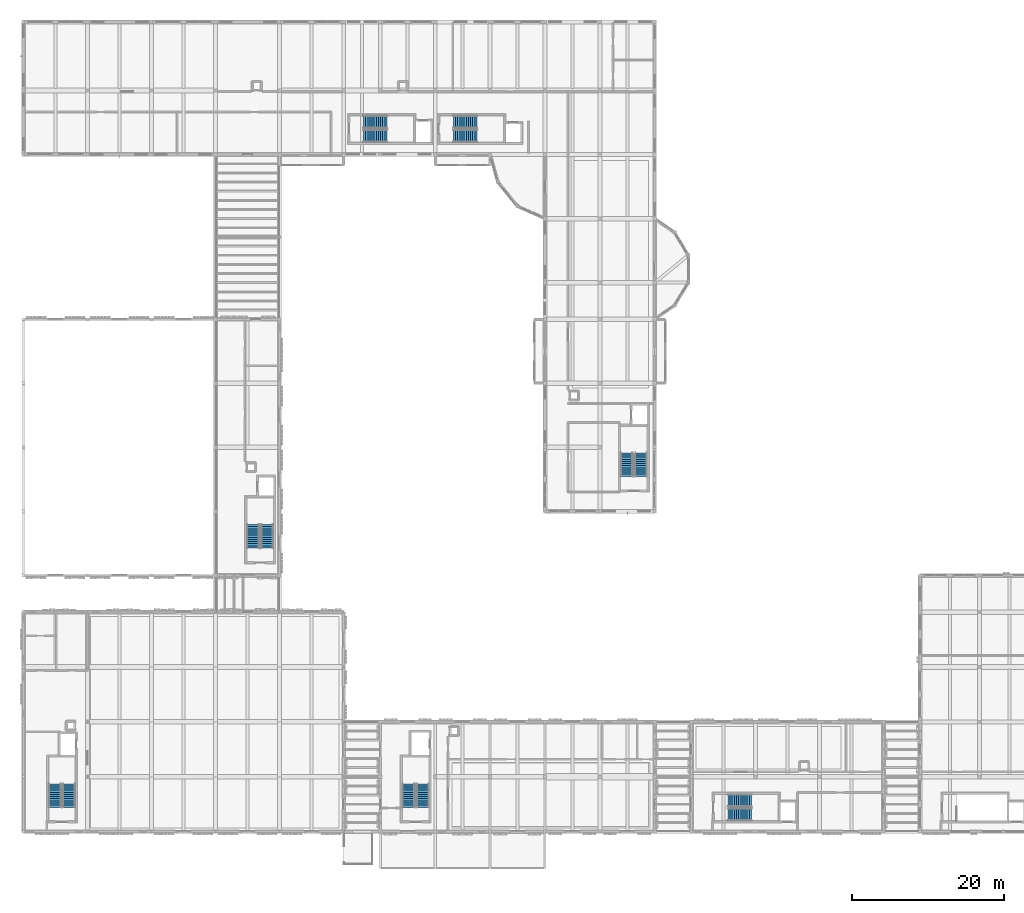
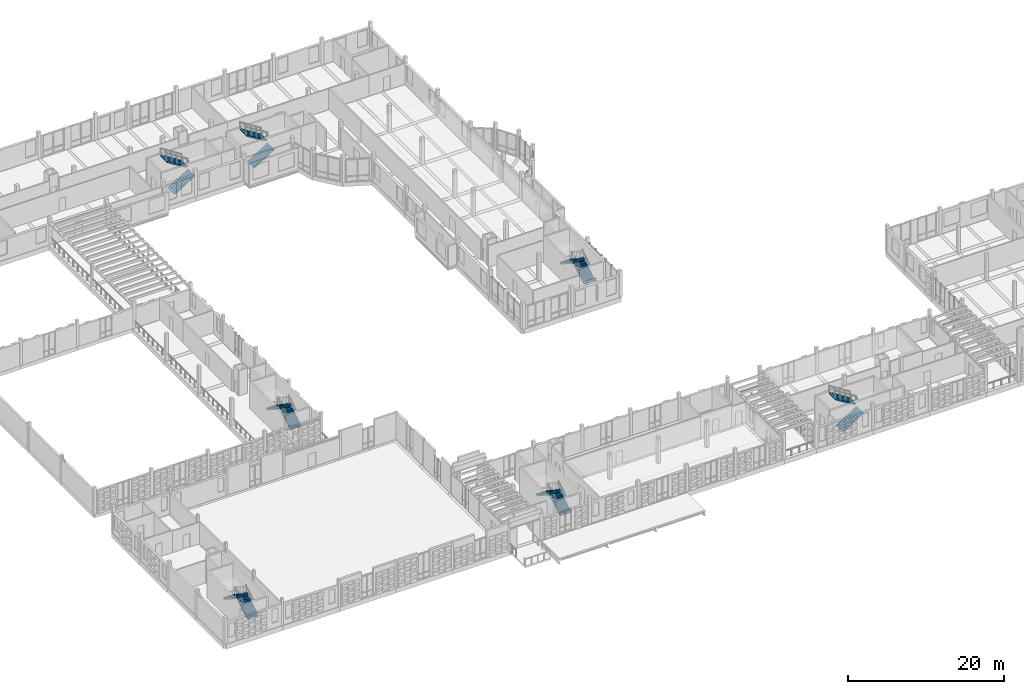
# One storey, part 77 of 99: 14 stair flights, 7 elements without a shape of their own.
"""IFC4 building model written with IfcOpenShell, lengths in metres."""

from ifc_helpers import new_model, si_unit, direction, frame, origin, place, context, subcontext, project, spatial, polyline, outline, extrude, material, type_object, element, aggregate, save


model = new_model("IFC4")

# Units and contexts
model_context = context("Model", 3, precision=1e-05, world=origin(), true_north=direction((0.0, 1.0)))
body_context = subcontext(model_context, "Body", "Model", "MODEL_VIEW")
ifc_project = project(units=[si_unit("LENGTHUNIT", "METRE"), si_unit("AREAUNIT", "SQUARE_METRE"), si_unit("VOLUMEUNIT", "CUBIC_METRE"), si_unit("PLANEANGLEUNIT", "RADIAN"), si_unit("MASSUNIT", "GRAM", prefix="KILO")], contexts=[model_context])

# Site, building, storey
site_placement = place(None, origin())
site = spatial("IfcSite", under=ifc_project, at=site_placement, CompositionType="ELEMENT")
building_placement = place(site_placement, origin())
building = spatial("IfcBuilding", under=site, at=building_placement, Name="Kahlenmark Community Centre", CompositionType="ELEMENT")
storey_placement = place(building_placement, frame((0.0, 0.0, 5.39990234375)))
storey = spatial("IfcBuildingStorey", under=building, at=storey_placement, Name="L01", CompositionType="ELEMENT", Elevation=5.39990234375)

# Stair, stair flights
ifc_material = material(Name="Concrete C35/45", Category="concrete")
stair_type_1 = type_object("IfcStairType", Name="STT-CORE-ST-01-175", PredefinedType="HALF_TURN_STAIR", material=ifc_material)
stair_1_placement = place(storey_placement, origin())
stair_1 = element("IfcStair", 1, at=stair_1_placement, inside=storey, type_object=stair_type_1, Name="L01 Core K1 Escape Stair ST-01", PredefinedType="HALF_TURN_STAIR")
stair_flight_type_1 = type_object("IfcStairFlightType", Name="SFT-CORE-ST-01-175", PredefinedType="STRAIGHT", material=ifc_material)
stair_flight_1_placement = place(storey_placement, frame((9.97509765625, 12.0, 0.0), z_axis=(0.0, 0.0, 1.0), x_axis=(0.0, 1.0, 0.0)))
stair_flight_1 = element("IfcStairFlight", 2, at=stair_flight_1_placement, type_object=stair_flight_type_1, Name="ST-01 flight 1", NumberOfRisers=12, NumberOfTreads=11, PredefinedType="STRAIGHT", RiserHeight=0.175, TreadLength=0.28, context=body_context, shape_type="SweptSolid", body=[
    extrude(outline(polyline([(0.0, 0.0), (0.0, 0.175048828125), (0.280029296875, 0.175048828125), (0.280029296875, 0.35009765625), (0.56005859375, 0.35009765625), (0.56005859375, 0.52490234375), (0.840087890625, 0.52490234375), (0.840087890625, 0.699951171875), (1.1201171875, 0.699951171875), (1.1201171875, 0.875), (1.39990234375, 0.875), (1.39990234375, 1.050048828125), (1.679931640625, 1.050048828125), (1.679931640625, 1.22509765625), (1.9599609375, 1.22509765625), (1.9599609375, 1.39990234375), (2.239990234375, 1.39990234375), (2.239990234375, 1.574951171875), (2.52001953125, 1.574951171875), (2.52001953125, 1.75), (2.800048828125, 1.75), (2.800048828125, 1.925048828125), (3.080078125, 1.925048828125), (3.080078125, 2.10009765625), (3.080078125, 1.748291015625), (0.28271484375, 0.0), (0.0, 0.0)])), frame((0.0, 0.824951171875, 0.0), z_axis=(0.0, -1.0, 0.0), x_axis=(1.0, 0.0, 0.0)), (0.0, 0.0, 1.0), 1.64990234375),
])
stair_flight_2_placement = place(storey_placement, frame((8.125, 15.080078125, 2.10009765625), z_axis=(0.0, 0.0, 1.0), x_axis=(0.0, -1.0, 0.0)))
stair_flight_2 = element("IfcStairFlight", 3, at=stair_flight_2_placement, type_object=stair_flight_type_1, Name="ST-01 flight 2", NumberOfRisers=12, NumberOfTreads=11, PredefinedType="STRAIGHT", RiserHeight=0.175, TreadLength=0.28, context=body_context, shape_type="SweptSolid", body=[
    extrude(outline(polyline([(0.0, 0.0), (0.0, 0.175048828125), (0.280029296875, 0.175048828125), (0.280029296875, 0.35009765625), (0.56005859375, 0.35009765625), (0.56005859375, 0.52490234375), (0.840087890625, 0.52490234375), (0.840087890625, 0.699951171875), (1.1201171875, 0.699951171875), (1.1201171875, 0.875), (1.39990234375, 0.875), (1.39990234375, 1.050048828125), (1.679931640625, 1.050048828125), (1.679931640625, 1.22509765625), (1.9599609375, 1.22509765625), (1.9599609375, 1.39990234375), (2.239990234375, 1.39990234375), (2.239990234375, 1.574951171875), (2.52001953125, 1.574951171875), (2.52001953125, 1.75), (2.800048828125, 1.75), (2.800048828125, 1.925048828125), (3.080078125, 1.925048828125), (3.080078125, 2.10009765625), (3.080078125, 1.748291015625), (0.28271484375, 0.0), (0.0, 0.0)])), frame((0.0, 0.824951171875, 0.0), z_axis=(0.0, -1.0, 0.0), x_axis=(1.0, 0.0, 0.0)), (0.0, 0.0, 1.0), 1.64990234375),
])
aggregate(stair_1, [stair_flight_1, stair_flight_2])

stair_type_2 = type_object("IfcStairType", Name="STT-CORE-ST-02-175", PredefinedType="HALF_TURN_STAIR", material=ifc_material)
stair_2_placement = place(storey_placement, origin())
stair_2 = element("IfcStair", 4, at=stair_2_placement, inside=storey, type_object=stair_type_2, Name="L01 Core K2 Escape Stair ST-02", PredefinedType="HALF_TURN_STAIR")
stair_flight_type_2 = type_object("IfcStairFlightType", Name="SFT-CORE-ST-02-175", PredefinedType="STRAIGHT", material=ifc_material)
stair_flight_3_placement = place(storey_placement, frame((35.97509765625, 46.0, 0.0), z_axis=(0.0, 0.0, 1.0), x_axis=(0.0, 1.0, 0.0)))
stair_flight_3 = element("IfcStairFlight", 5, at=stair_flight_3_placement, type_object=stair_flight_type_2, Name="ST-02 flight 1", NumberOfRisers=12, NumberOfTreads=11, PredefinedType="STRAIGHT", RiserHeight=0.175, TreadLength=0.28, context=body_context, shape_type="SweptSolid", body=[
    extrude(outline(polyline([(0.0, 0.0), (0.0, 0.175048828125), (0.280029296875, 0.175048828125), (0.280029296875, 0.35009765625), (0.56005859375, 0.35009765625), (0.56005859375, 0.52490234375), (0.840087890625, 0.52490234375), (0.840087890625, 0.699951171875), (1.1201171875, 0.699951171875), (1.1201171875, 0.875), (1.39990234375, 0.875), (1.39990234375, 1.050048828125), (1.679931640625, 1.050048828125), (1.679931640625, 1.22509765625), (1.9599609375, 1.22509765625), (1.9599609375, 1.39990234375), (2.239990234375, 1.39990234375), (2.239990234375, 1.574951171875), (2.52001953125, 1.574951171875), (2.52001953125, 1.75), (2.800048828125, 1.75), (2.800048828125, 1.925048828125), (3.080078125, 1.925048828125), (3.080078125, 2.10009765625), (3.080078125, 1.748291015625), (0.28271484375, 0.0), (0.0, 0.0)])), frame((0.0, 0.824951171875, 0.0), z_axis=(0.0, -1.0, 0.0), x_axis=(1.0, 0.0, 0.0)), (0.0, 0.0, 1.0), 1.64990234375),
])
stair_flight_4_placement = place(storey_placement, frame((34.125, 49.080078125, 2.10009765625), z_axis=(0.0, 0.0, 1.0), x_axis=(0.0, -1.0, 0.0)))
stair_flight_4 = element("IfcStairFlight", 6, at=stair_flight_4_placement, type_object=stair_flight_type_2, Name="ST-02 flight 2", NumberOfRisers=12, NumberOfTreads=11, PredefinedType="STRAIGHT", RiserHeight=0.175, TreadLength=0.28, context=body_context, shape_type="SweptSolid", body=[
    extrude(outline(polyline([(0.0, 0.0), (0.0, 0.175048828125), (0.280029296875, 0.175048828125), (0.280029296875, 0.35009765625), (0.56005859375, 0.35009765625), (0.56005859375, 0.52490234375), (0.840087890625, 0.52490234375), (0.840087890625, 0.699951171875), (1.1201171875, 0.699951171875), (1.1201171875, 0.875), (1.39990234375, 0.875), (1.39990234375, 1.050048828125), (1.679931640625, 1.050048828125), (1.679931640625, 1.22509765625), (1.9599609375, 1.22509765625), (1.9599609375, 1.39990234375), (2.239990234375, 1.39990234375), (2.239990234375, 1.574951171875), (2.52001953125, 1.574951171875), (2.52001953125, 1.75), (2.800048828125, 1.75), (2.800048828125, 1.925048828125), (3.080078125, 1.925048828125), (3.080078125, 2.10009765625), (3.080078125, 1.748291015625), (0.28271484375, 0.0), (0.0, 0.0)])), frame((0.0, 0.824951171875, 0.0), z_axis=(0.0, -1.0, 0.0), x_axis=(1.0, 0.0, 0.0)), (0.0, 0.0, 1.0), 1.64990234375),
])
aggregate(stair_2, [stair_flight_3, stair_flight_4])

stair_type_3 = type_object("IfcStairType", Name="STT-CORE-ST-03-175", PredefinedType="HALF_TURN_STAIR", material=ifc_material)
stair_3_placement = place(storey_placement, origin())
stair_3 = element("IfcStair", 7, at=stair_3_placement, inside=storey, type_object=stair_type_3, Name="L01 Core K3 Escape Stair ST-03", PredefinedType="HALF_TURN_STAIR")
stair_flight_type_3 = type_object("IfcStairFlightType", Name="SFT-CORE-ST-03-175", PredefinedType="STRAIGHT", material=ifc_material)
stair_flight_5_placement = place(storey_placement, frame((56.375, 12.0, 0.0), z_axis=(0.0, 0.0, 1.0), x_axis=(0.0, 1.0, 0.0)))
stair_flight_5 = element("IfcStairFlight", 8, at=stair_flight_5_placement, type_object=stair_flight_type_3, Name="ST-03 flight 1", NumberOfRisers=12, NumberOfTreads=11, PredefinedType="STRAIGHT", RiserHeight=0.175, TreadLength=0.28, context=body_context, shape_type="SweptSolid", body=[
    extrude(outline(polyline([(0.0, 0.0), (0.0, 0.175048828125), (0.280029296875, 0.175048828125), (0.280029296875, 0.35009765625), (0.56005859375, 0.35009765625), (0.56005859375, 0.52490234375), (0.840087890625, 0.52490234375), (0.840087890625, 0.699951171875), (1.1201171875, 0.699951171875), (1.1201171875, 0.875), (1.39990234375, 0.875), (1.39990234375, 1.050048828125), (1.679931640625, 1.050048828125), (1.679931640625, 1.22509765625), (1.9599609375, 1.22509765625), (1.9599609375, 1.39990234375), (2.239990234375, 1.39990234375), (2.239990234375, 1.574951171875), (2.52001953125, 1.574951171875), (2.52001953125, 1.75), (2.800048828125, 1.75), (2.800048828125, 1.925048828125), (3.080078125, 1.925048828125), (3.080078125, 2.10009765625), (3.080078125, 1.748291015625), (0.28271484375, 0.0), (0.0, 0.0)])), frame((0.0, 0.824951171875, 0.0), z_axis=(0.0, -1.0, 0.0), x_axis=(1.0, 0.0, 0.0)), (0.0, 0.0, 1.0), 1.64990234375),
])
stair_flight_6_placement = place(storey_placement, frame((54.52490234375, 15.080078125, 2.10009765625), z_axis=(0.0, 0.0, 1.0), x_axis=(0.0, -1.0, 0.0)))
stair_flight_6 = element("IfcStairFlight", 9, at=stair_flight_6_placement, type_object=stair_flight_type_3, Name="ST-03 flight 2", NumberOfRisers=12, NumberOfTreads=11, PredefinedType="STRAIGHT", RiserHeight=0.175, TreadLength=0.28, context=body_context, shape_type="SweptSolid", body=[
    extrude(outline(polyline([(0.0, 0.0), (0.0, 0.175048828125), (0.280029296875, 0.175048828125), (0.280029296875, 0.35009765625), (0.56005859375, 0.35009765625), (0.56005859375, 0.52490234375), (0.840087890625, 0.52490234375), (0.840087890625, 0.699951171875), (1.1201171875, 0.699951171875), (1.1201171875, 0.875), (1.39990234375, 0.875), (1.39990234375, 1.050048828125), (1.679931640625, 1.050048828125), (1.679931640625, 1.22509765625), (1.9599609375, 1.22509765625), (1.9599609375, 1.39990234375), (2.239990234375, 1.39990234375), (2.239990234375, 1.574951171875), (2.52001953125, 1.574951171875), (2.52001953125, 1.75), (2.800048828125, 1.75), (2.800048828125, 1.925048828125), (3.080078125, 1.925048828125), (3.080078125, 2.10009765625), (3.080078125, 1.748291015625), (0.28271484375, 0.0), (0.0, 0.0)])), frame((0.0, 0.824951171875, 0.0), z_axis=(0.0, -1.0, 0.0), x_axis=(1.0, 0.0, 0.0)), (0.0, 0.0, 1.0), 1.64990234375),
])
aggregate(stair_3, [stair_flight_5, stair_flight_6])

stair_type_4 = type_object("IfcStairType", Name="STT-CORE-ST-04-175", PredefinedType="HALF_TURN_STAIR", material=ifc_material)
stair_4_placement = place(storey_placement, origin())
stair_4 = element("IfcStair", 10, at=stair_4_placement, inside=storey, type_object=stair_type_4, Name="L01 Core K4 Escape Stair ST-04", PredefinedType="HALF_TURN_STAIR")
stair_flight_type_4 = type_object("IfcStairFlightType", Name="SFT-CORE-ST-04-175", PredefinedType="STRAIGHT", material=ifc_material)
stair_flight_7_placement = place(storey_placement, frame((48.60009765625, 100.02490234375, 0.0), z_axis=(0.0, 0.0, 1.0), x_axis=(1.0, 0.0, 0.0)))
stair_flight_7 = element("IfcStairFlight", 11, at=stair_flight_7_placement, type_object=stair_flight_type_4, Name="ST-04 flight 1", NumberOfRisers=12, NumberOfTreads=11, PredefinedType="STRAIGHT", RiserHeight=0.175, TreadLength=0.28, context=body_context, shape_type="SweptSolid", body=[
    extrude(outline(polyline([(0.0, 0.0), (0.0, 0.175048828125), (0.280029296875, 0.175048828125), (0.280029296875, 0.35009765625), (0.56005859375, 0.35009765625), (0.56005859375, 0.52490234375), (0.840087890625, 0.52490234375), (0.840087890625, 0.699951171875), (1.1201171875, 0.699951171875), (1.1201171875, 0.875), (1.39990234375, 0.875), (1.39990234375, 1.050048828125), (1.679931640625, 1.050048828125), (1.679931640625, 1.22509765625), (1.9599609375, 1.22509765625), (1.9599609375, 1.39990234375), (2.239990234375, 1.39990234375), (2.239990234375, 1.574951171875), (2.52001953125, 1.574951171875), (2.52001953125, 1.75), (2.800048828125, 1.75), (2.800048828125, 1.925048828125), (3.080078125, 1.925048828125), (3.080078125, 2.10009765625), (3.080078125, 1.748291015625), (0.28271484375, 0.0), (0.0, 0.0)])), frame((0.0, 0.824951171875, 0.0), z_axis=(0.0, -1.0, 0.0), x_axis=(1.0, 0.0, 0.0)), (0.0, 0.0, 1.0), 1.64990234375),
])
stair_flight_8_placement = place(storey_placement, frame((51.679931640625, 101.875, 2.10009765625), z_axis=(0.0, 0.0, 1.0), x_axis=(-1.0, 0.0, 0.0)))
stair_flight_8 = element("IfcStairFlight", 12, at=stair_flight_8_placement, type_object=stair_flight_type_4, Name="ST-04 flight 2", NumberOfRisers=12, NumberOfTreads=11, PredefinedType="STRAIGHT", RiserHeight=0.175, TreadLength=0.28, context=body_context, shape_type="SweptSolid", body=[
    extrude(outline(polyline([(0.0, 0.0), (0.0, 0.175048828125), (0.280029296875, 0.175048828125), (0.280029296875, 0.35009765625), (0.56005859375, 0.35009765625), (0.56005859375, 0.52490234375), (0.840087890625, 0.52490234375), (0.840087890625, 0.699951171875), (1.1201171875, 0.699951171875), (1.1201171875, 0.875), (1.39990234375, 0.875), (1.39990234375, 1.050048828125), (1.679931640625, 1.050048828125), (1.679931640625, 1.22509765625), (1.9599609375, 1.22509765625), (1.9599609375, 1.39990234375), (2.239990234375, 1.39990234375), (2.239990234375, 1.574951171875), (2.52001953125, 1.574951171875), (2.52001953125, 1.75), (2.800048828125, 1.75), (2.800048828125, 1.925048828125), (3.080078125, 1.925048828125), (3.080078125, 2.10009765625), (3.080078125, 1.748291015625), (0.28271484375, 0.0), (0.0, 0.0)])), frame((0.0, 0.824951171875, 0.0), z_axis=(0.0, -1.0, 0.0), x_axis=(1.0, 0.0, 0.0)), (0.0, 0.0, 1.0), 1.64990234375),
])
aggregate(stair_4, [stair_flight_7, stair_flight_8])

stair_type_5 = type_object("IfcStairType", Name="STT-CORE-ST-05-175", PredefinedType="HALF_TURN_STAIR", material=ifc_material)
stair_5_placement = place(storey_placement, origin())
stair_5 = element("IfcStair", 13, at=stair_5_placement, inside=storey, type_object=stair_type_5, Name="L01 Core K5 Escape Stair ST-05", PredefinedType="HALF_TURN_STAIR")
stair_flight_type_5 = type_object("IfcStairFlightType", Name="SFT-CORE-ST-05-175", PredefinedType="STRAIGHT", material=ifc_material)
stair_flight_9_placement = place(storey_placement, frame((60.39990234375, 100.02490234375, 0.0), z_axis=(0.0, 0.0, 1.0), x_axis=(1.0, 0.0, 0.0)))
stair_flight_9 = element("IfcStairFlight", 14, at=stair_flight_9_placement, type_object=stair_flight_type_5, Name="ST-05 flight 1", NumberOfRisers=12, NumberOfTreads=11, PredefinedType="STRAIGHT", RiserHeight=0.175, TreadLength=0.28, context=body_context, shape_type="SweptSolid", body=[
    extrude(outline(polyline([(0.0, 0.0), (0.0, 0.175048828125), (0.280029296875, 0.175048828125), (0.280029296875, 0.35009765625), (0.56005859375, 0.35009765625), (0.56005859375, 0.52490234375), (0.840087890625, 0.52490234375), (0.840087890625, 0.699951171875), (1.1201171875, 0.699951171875), (1.1201171875, 0.875), (1.39990234375, 0.875), (1.39990234375, 1.050048828125), (1.679931640625, 1.050048828125), (1.679931640625, 1.22509765625), (1.9599609375, 1.22509765625), (1.9599609375, 1.39990234375), (2.239990234375, 1.39990234375), (2.239990234375, 1.574951171875), (2.52001953125, 1.574951171875), (2.52001953125, 1.75), (2.800048828125, 1.75), (2.800048828125, 1.925048828125), (3.080078125, 1.925048828125), (3.080078125, 2.10009765625), (3.080078125, 1.748291015625), (0.28271484375, 0.0), (0.0, 0.0)])), frame((0.0, 0.824951171875, 0.0), z_axis=(0.0, -1.0, 0.0), x_axis=(1.0, 0.0, 0.0)), (0.0, 0.0, 1.0), 1.64990234375),
])
stair_flight_10_placement = place(storey_placement, frame((63.47998046875, 101.875, 2.10009765625), z_axis=(0.0, 0.0, 1.0), x_axis=(-1.0, 0.0, 0.0)))
stair_flight_10 = element("IfcStairFlight", 15, at=stair_flight_10_placement, type_object=stair_flight_type_5, Name="ST-05 flight 2", NumberOfRisers=12, NumberOfTreads=11, PredefinedType="STRAIGHT", RiserHeight=0.175, TreadLength=0.28, context=body_context, shape_type="SweptSolid", body=[
    extrude(outline(polyline([(0.0, 0.0), (0.0, 0.175048828125), (0.280029296875, 0.175048828125), (0.280029296875, 0.35009765625), (0.56005859375, 0.35009765625), (0.56005859375, 0.52490234375), (0.840087890625, 0.52490234375), (0.840087890625, 0.699951171875), (1.1201171875, 0.699951171875), (1.1201171875, 0.875), (1.39990234375, 0.875), (1.39990234375, 1.050048828125), (1.679931640625, 1.050048828125), (1.679931640625, 1.22509765625), (1.9599609375, 1.22509765625), (1.9599609375, 1.39990234375), (2.239990234375, 1.39990234375), (2.239990234375, 1.574951171875), (2.52001953125, 1.574951171875), (2.52001953125, 1.75), (2.800048828125, 1.75), (2.800048828125, 1.925048828125), (3.080078125, 1.925048828125), (3.080078125, 2.10009765625), (3.080078125, 1.748291015625), (0.28271484375, 0.0), (0.0, 0.0)])), frame((0.0, 0.824951171875, 0.0), z_axis=(0.0, -1.0, 0.0), x_axis=(1.0, 0.0, 0.0)), (0.0, 0.0, 1.0), 1.64990234375),
])
aggregate(stair_5, [stair_flight_9, stair_flight_10])

stair_type_6 = type_object("IfcStairType", Name="STT-CORE-ST-06-175", PredefinedType="HALF_TURN_STAIR", material=ifc_material)
stair_6_placement = place(storey_placement, origin())
stair_6 = element("IfcStair", 16, at=stair_6_placement, inside=storey, type_object=stair_type_6, Name="L01 Core K6 Escape Stair ST-06", PredefinedType="HALF_TURN_STAIR")
stair_flight_type_6 = type_object("IfcStairFlightType", Name="SFT-CORE-ST-06-175", PredefinedType="STRAIGHT", material=ifc_material)
stair_flight_11_placement = place(storey_placement, frame((84.97509765625, 55.39990234375, 0.0), z_axis=(0.0, 0.0, 1.0), x_axis=(0.0, 1.0, 0.0)))
stair_flight_11 = element("IfcStairFlight", 17, at=stair_flight_11_placement, type_object=stair_flight_type_6, Name="ST-06 flight 1", NumberOfRisers=12, NumberOfTreads=11, PredefinedType="STRAIGHT", RiserHeight=0.175, TreadLength=0.28, context=body_context, shape_type="SweptSolid", body=[
    extrude(outline(polyline([(0.0, 0.0), (0.0, 0.175048828125), (0.280029296875, 0.175048828125), (0.280029296875, 0.35009765625), (0.56005859375, 0.35009765625), (0.56005859375, 0.52490234375), (0.840087890625, 0.52490234375), (0.840087890625, 0.699951171875), (1.1201171875, 0.699951171875), (1.1201171875, 0.875), (1.39990234375, 0.875), (1.39990234375, 1.050048828125), (1.679931640625, 1.050048828125), (1.679931640625, 1.22509765625), (1.9599609375, 1.22509765625), (1.9599609375, 1.39990234375), (2.239990234375, 1.39990234375), (2.239990234375, 1.574951171875), (2.52001953125, 1.574951171875), (2.52001953125, 1.75), (2.800048828125, 1.75), (2.800048828125, 1.925048828125), (3.080078125, 1.925048828125), (3.080078125, 2.10009765625), (3.080078125, 1.748291015625), (0.28271484375, 0.0), (0.0, 0.0)])), frame((0.0, 0.824951171875, 0.0), z_axis=(0.0, -1.0, 0.0), x_axis=(1.0, 0.0, 0.0)), (0.0, 0.0, 1.0), 1.64990234375),
])
stair_flight_12_placement = place(storey_placement, frame((83.125, 58.47998046875, 2.10009765625), z_axis=(0.0, 0.0, 1.0), x_axis=(0.0, -1.0, 0.0)))
stair_flight_12 = element("IfcStairFlight", 18, at=stair_flight_12_placement, type_object=stair_flight_type_6, Name="ST-06 flight 2", NumberOfRisers=12, NumberOfTreads=11, PredefinedType="STRAIGHT", RiserHeight=0.175, TreadLength=0.28, context=body_context, shape_type="SweptSolid", body=[
    extrude(outline(polyline([(0.0, 0.0), (0.0, 0.175048828125), (0.280029296875, 0.175048828125), (0.280029296875, 0.35009765625), (0.56005859375, 0.35009765625), (0.56005859375, 0.52490234375), (0.840087890625, 0.52490234375), (0.840087890625, 0.699951171875), (1.1201171875, 0.699951171875), (1.1201171875, 0.875), (1.39990234375, 0.875), (1.39990234375, 1.050048828125), (1.679931640625, 1.050048828125), (1.679931640625, 1.22509765625), (1.9599609375, 1.22509765625), (1.9599609375, 1.39990234375), (2.239990234375, 1.39990234375), (2.239990234375, 1.574951171875), (2.52001953125, 1.574951171875), (2.52001953125, 1.75), (2.800048828125, 1.75), (2.800048828125, 1.925048828125), (3.080078125, 1.925048828125), (3.080078125, 2.10009765625), (3.080078125, 1.748291015625), (0.28271484375, 0.0), (0.0, 0.0)])), frame((0.0, 0.824951171875, 0.0), z_axis=(0.0, -1.0, 0.0), x_axis=(1.0, 0.0, 0.0)), (0.0, 0.0, 1.0), 1.64990234375),
])
aggregate(stair_6, [stair_flight_11, stair_flight_12])

stair_type_7 = type_object("IfcStairType", Name="STT-CORE-ST-07-175", PredefinedType="HALF_TURN_STAIR", material=ifc_material)
stair_7_placement = place(storey_placement, origin())
stair_7 = element("IfcStair", 19, at=stair_7_placement, inside=storey, type_object=stair_type_7, Name="L01 Core K7 Escape Stair ST-07", PredefinedType="HALF_TURN_STAIR")
stair_flight_type_7 = type_object("IfcStairFlightType", Name="SFT-CORE-ST-07-175", PredefinedType="STRAIGHT", material=ifc_material)
stair_flight_13_placement = place(storey_placement, frame((96.39990234375, 11.02490234375, 0.0), z_axis=(0.0, 0.0, 1.0), x_axis=(1.0, 0.0, 0.0)))
stair_flight_13 = element("IfcStairFlight", 20, at=stair_flight_13_placement, type_object=stair_flight_type_7, Name="ST-07 flight 1", NumberOfRisers=12, NumberOfTreads=11, PredefinedType="STRAIGHT", RiserHeight=0.175, TreadLength=0.28, context=body_context, shape_type="SweptSolid", body=[
    extrude(outline(polyline([(0.0, 0.0), (0.0, 0.175048828125), (0.280029296875, 0.175048828125), (0.280029296875, 0.35009765625), (0.56005859375, 0.35009765625), (0.56005859375, 0.52490234375), (0.840087890625, 0.52490234375), (0.840087890625, 0.699951171875), (1.1201171875, 0.699951171875), (1.1201171875, 0.875), (1.39990234375, 0.875), (1.39990234375, 1.050048828125), (1.679931640625, 1.050048828125), (1.679931640625, 1.22509765625), (1.9599609375, 1.22509765625), (1.9599609375, 1.39990234375), (2.239990234375, 1.39990234375), (2.239990234375, 1.574951171875), (2.52001953125, 1.574951171875), (2.52001953125, 1.75), (2.800048828125, 1.75), (2.800048828125, 1.925048828125), (3.080078125, 1.925048828125), (3.080078125, 2.10009765625), (3.080078125, 1.748291015625), (0.28271484375, 0.0), (0.0, 0.0)])), frame((0.0, 0.824951171875, 0.0), z_axis=(0.0, -1.0, 0.0), x_axis=(1.0, 0.0, 0.0)), (0.0, 0.0, 1.0), 1.64990234375),
])
stair_flight_14_placement = place(storey_placement, frame((99.47998046875, 12.875, 2.10009765625), z_axis=(0.0, 0.0, 1.0), x_axis=(-1.0, 0.0, 0.0)))
stair_flight_14 = element("IfcStairFlight", 21, at=stair_flight_14_placement, type_object=stair_flight_type_7, Name="ST-07 flight 2", NumberOfRisers=12, NumberOfTreads=11, PredefinedType="STRAIGHT", RiserHeight=0.175, TreadLength=0.28, context=body_context, shape_type="SweptSolid", body=[
    extrude(outline(polyline([(0.0, 0.0), (0.0, 0.175048828125), (0.280029296875, 0.175048828125), (0.280029296875, 0.35009765625), (0.56005859375, 0.35009765625), (0.56005859375, 0.52490234375), (0.840087890625, 0.52490234375), (0.840087890625, 0.699951171875), (1.1201171875, 0.699951171875), (1.1201171875, 0.875), (1.39990234375, 0.875), (1.39990234375, 1.050048828125), (1.679931640625, 1.050048828125), (1.679931640625, 1.22509765625), (1.9599609375, 1.22509765625), (1.9599609375, 1.39990234375), (2.239990234375, 1.39990234375), (2.239990234375, 1.574951171875), (2.52001953125, 1.574951171875), (2.52001953125, 1.75), (2.800048828125, 1.75), (2.800048828125, 1.925048828125), (3.080078125, 1.925048828125), (3.080078125, 2.10009765625), (3.080078125, 1.748291015625), (0.28271484375, 0.0), (0.0, 0.0)])), frame((0.0, 0.824951171875, 0.0), z_axis=(0.0, -1.0, 0.0), x_axis=(1.0, 0.0, 0.0)), (0.0, 0.0, 1.0), 1.64990234375),
])
aggregate(stair_7, [stair_flight_13, stair_flight_14])

save(model, "model.ifc")
